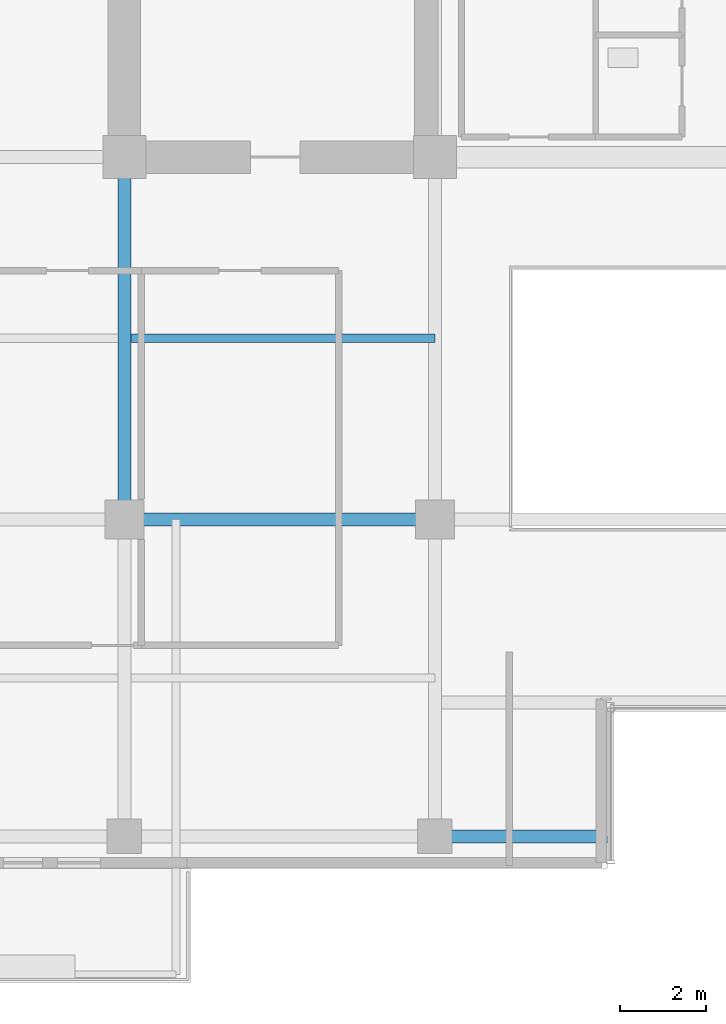
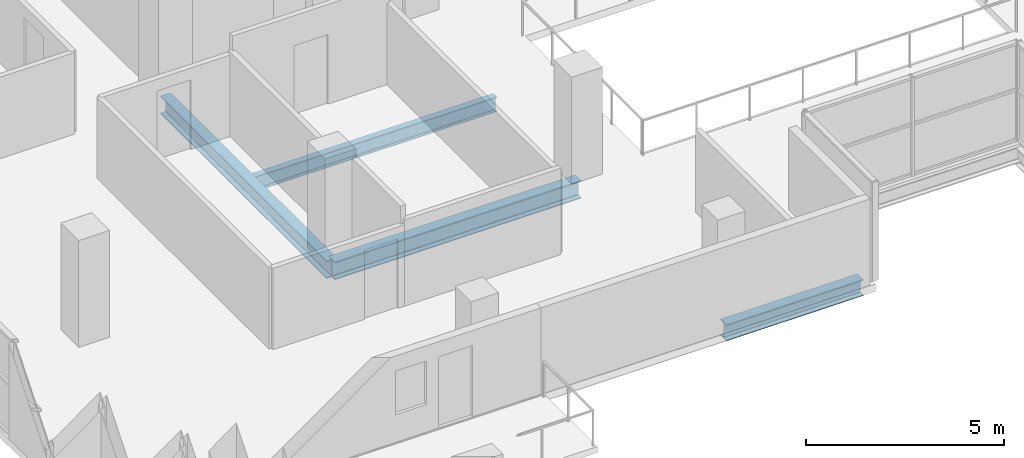
# One storey, part 5 of 27: 4 beams.
"""IFC4 building model written with IfcOpenShell, lengths in metres."""

import ifcopenshell
import ifcopenshell.guid

model = None  # the IFC model being written
_history = None  # IfcOwnerHistory: only IFC2X3 demands one
_inside = {}  # id of a spatial element -> (the spatial element, [elements in it])
_under = {}  # id of a project, library or spatial element -> (it, [spatial elements below it])
_declared = {}  # id of a project -> (the project, [libraries it declares])
_typed = {}  # id of a type object -> (the type object, [elements of that type])
_made_of = {}  # id of a material, layer set ... -> (it, [elements and type objects made of it])


def new_model(schema):
    """Start an empty IFC model of exactly this schema.

    Asked for "IFC4X3", IfcOpenShell would pick the latest addendum, in which some entities
    have other attributes; the version numbers below select the first issue.
    IFC2X3 requires an IfcOwnerHistory on every rooted entity: one is made here for all.
    """
    global model, _history
    if schema == "IFC4X3":
        model = ifcopenshell.file(schema_version=(4, 3, 0, 0))
    else:
        model = ifcopenshell.file(schema=schema)
    _inside.clear()
    _under.clear()
    _declared.clear()
    _typed.clear()
    _made_of.clear()
    _history = None
    if model.schema == "IFC2X3":
        org = make("IfcOrganization", Name="unknown")
        user = make(
            "IfcPersonAndOrganization",
            ThePerson=make("IfcPerson", FamilyName="unknown"),
            TheOrganization=org,
        )
        app = make(
            "IfcApplication",
            ApplicationDeveloper=org,
            Version="unknown",
            ApplicationFullName="unknown",
            ApplicationIdentifier="unknown",
        )
        _history = make(
            "IfcOwnerHistory",
            OwningUser=user,
            OwningApplication=app,
            ChangeAction="ADDED",
            CreationDate=0,
        )
    return model


def make(cls, **values):
    """One entity of the class cls with the attributes given. An attribute that is None is left unset."""
    return model.create_entity(
        cls, **{name: value for name, value in values.items() if value is not None}
    )


def rooted(cls, **values):
    """An entity with a GlobalId (a new one), such as an element, a storey or a relation."""
    return make(cls, GlobalId=ifcopenshell.guid.new(), OwnerHistory=_history, **values)


def si_unit(unit_type, name, prefix=None):
    """IfcSIUnit, for example si_unit("LENGTHUNIT", "METRE", prefix="MILLI")."""
    return make("IfcSIUnit", UnitType=unit_type, Prefix=prefix, Name=name)


def assignment(units):
    """IfcUnitAssignment: the units of a project."""
    return None if units is None else make("IfcUnitAssignment", Units=units)


def point(xyz):
    """IfcCartesianPoint."""
    return None if xyz is None else make("IfcCartesianPoint", Coordinates=xyz)


def direction(xyz):
    """IfcDirection."""
    return None if xyz is None else make("IfcDirection", DirectionRatios=xyz)


def frame(location, z_axis=None, x_axis=None):
    """IfcAxis2Placement3D, a coordinate frame: its origin and axes. An axis left out is left unset."""
    return make(
        "IfcAxis2Placement3D",
        Location=point(location),
        Axis=direction(z_axis),
        RefDirection=direction(x_axis),
    )


def frame_2d(location, x_axis=None):
    """IfcAxis2Placement2D, a coordinate frame in the plane: its origin and x axis."""
    return make(
        "IfcAxis2Placement2D", Location=point(location), RefDirection=direction(x_axis)
    )


def origin():
    """The frame at (0, 0, 0) with its axes left unset."""
    return frame((0.0, 0.0, 0.0))


def origin_2d():
    """The frame at (0, 0) in the plane with its x axis left unset."""
    return frame_2d((0.0, 0.0))


def place(relative_to, where):
    """IfcLocalPlacement: puts the frame where relative to a parent placement (None: the world)."""
    return make(
        "IfcLocalPlacement", PlacementRelTo=relative_to, RelativePlacement=where
    )


def context(
    kind, dimensions, precision=None, world=None, true_north=None, identifier=None
):
    """IfcGeometricRepresentationContext, for example the 3D "Model" context."""
    return make(
        "IfcGeometricRepresentationContext",
        ContextIdentifier=identifier,
        ContextType=kind,
        CoordinateSpaceDimension=dimensions,
        Precision=precision,
        WorldCoordinateSystem=world,
        TrueNorth=true_north,
    )


def subcontext(parent, identifier, kind, view, scale=None):
    """IfcGeometricRepresentationSubContext, for example "Body" below "Model"."""
    return make(
        "IfcGeometricRepresentationSubContext",
        ContextIdentifier=identifier,
        ContextType=kind,
        ParentContext=parent,
        TargetScale=scale,
        TargetView=view,
    )


def project(units=None, contexts=None):
    """IfcProject with its units and contexts."""
    return rooted(
        "IfcProject",
        Name="project",
        RepresentationContexts=contexts,
        UnitsInContext=assignment(units),
    )


def spatial(cls, under=None, at=None, **own):
    """A site, building, storey or space (cls), placed at a placement, below another one or the project."""
    s = rooted(cls, ObjectPlacement=at, **own)
    if under is not None:
        _under.setdefault(under.id(), (under, []))[1].append(s)
    return s


def profile(cls, at=None, kind="AREA", **sizes):
    """A parametric profile (cls). Its sizes go by their IFC names, for example OverallWidth=200.0."""
    return make(cls, ProfileType=kind, Position=at, **sizes)


def i_section(**sizes):
    """IfcIShapeProfileDef."""
    return profile("IfcIShapeProfileDef", **sizes)


def extrude(swept, where, along, depth):
    """IfcExtrudedAreaSolid: the profile swept, set in the frame where, extruded along a direction by depth."""
    return make(
        "IfcExtrudedAreaSolid",
        SweptArea=swept,
        Position=where,
        ExtrudedDirection=direction(along),
        Depth=depth,
    )


def shape(context_of_items, identifier, shape_type, items):
    """IfcShapeRepresentation: the items that make up one representation, for example the "Body"."""
    return make(
        "IfcShapeRepresentation",
        ContextOfItems=context_of_items,
        RepresentationIdentifier=identifier,
        RepresentationType=shape_type,
        Items=items,
    )


def material(Name=None, Category=None):
    """IfcMaterial."""
    return make("IfcMaterial", Name=Name, Category=Category)


def material_profile(
    of_material, cross_section, Name=None, Category=None, Priority=None
):
    """IfcMaterialProfile: a cross section and its material."""
    return make(
        "IfcMaterialProfile",
        Name=Name,
        Material=of_material,
        Profile=cross_section,
        Priority=Priority,
        Category=Category,
    )


def profile_set(profiles, Name=None, composite=None):
    """IfcMaterialProfileSet."""
    return make(
        "IfcMaterialProfileSet",
        Name=Name,
        MaterialProfiles=profiles,
        CompositeProfile=composite,
    )


def made_of(thing, what):
    """Note that an element or type object is made of a material, layer set ...; save() writes the relation."""
    if what is not None:
        _made_of.setdefault(what.id(), (what, []))[1].append(thing)
    return thing


def type_object(cls, material=None, **own):
    """A type object (cls), such as IfcWallType, which elements share."""
    return made_of(rooted(cls, **own), material)


def element(
    cls,
    number,
    at=None,
    inside=None,
    cuts=None,
    type_object=None,
    material=None,
    context=None,
    identifier="Body",
    shape_type=None,
    held_by="IfcProductDefinitionShape",
    body=None,
    shapes=None,
    **own,
):
    """One element of the class cls, such as IfcWall. Its Tag is "e" and its number.

    at: its placement. inside: the storey or other place that contains it. cuts: it is an
    opening in that element (IfcRelVoidsElement). A single representation is given by context,
    identifier, shape_type and body (its items); several are given by shapes. held_by: the class
    of the entity that holds the representations. save() writes the other relations.
    """
    e = rooted(cls, Tag="e%d" % number, ObjectPlacement=at, **own)
    if body is not None:
        shapes = [shape(context, identifier, shape_type, body)]
    if shapes is not None:
        e.Representation = make(held_by, Representations=shapes)
    if inside is not None:
        _inside.setdefault(inside.id(), (inside, []))[1].append(e)
    if cuts is not None:
        rooted(
            "IfcRelVoidsElement", RelatingBuildingElement=cuts, RelatedOpeningElement=e
        )
    if type_object is not None:
        _typed.setdefault(type_object.id(), (type_object, []))[1].append(e)
    return made_of(e, material)


def aggregate(whole, parts):
    """IfcRelAggregates: a whole, such as a stair, and the parts it consists of."""
    return rooted("IfcRelAggregates", RelatingObject=whole, RelatedObjects=parts)


def save(model, path):
    """Write the relations noted so far, then the file.

    IfcRelAggregates (storeys below a building ...), IfcRelContainedInSpatialStructure (elements
    in a storey), IfcRelDefinesByType, IfcRelAssociatesMaterial and IfcRelDeclares: one each for
    every whole, place, type object, material and project.
    """
    for whole, parts in _under.values():
        aggregate(whole, parts)
    for where, things in _inside.values():
        rooted(
            "IfcRelContainedInSpatialStructure",
            RelatedElements=things,
            RelatingStructure=where,
        )
    for kind, things in _typed.values():
        rooted("IfcRelDefinesByType", RelatedObjects=things, RelatingType=kind)
    for what, things in _made_of.values():
        rooted("IfcRelAssociatesMaterial", RelatedObjects=things, RelatingMaterial=what)
    for by, libraries in _declared.values():
        rooted("IfcRelDeclares", RelatingContext=by, RelatedDefinitions=libraries)
    model.write(path)


model = new_model("IFC4")

# Units and contexts
model_context = context("Model", 3, precision=1e-05, world=origin(), true_north=direction((0.0, 1.0)))
body_context = subcontext(model_context, "Body", "Model", "MODEL_VIEW")
ifc_project = project(units=[si_unit("LENGTHUNIT", "METRE"), si_unit("AREAUNIT", "SQUARE_METRE"), si_unit("VOLUMEUNIT", "CUBIC_METRE"), si_unit("PLANEANGLEUNIT", "RADIAN"), si_unit("MASSUNIT", "GRAM", prefix="KILO")], contexts=[model_context])

# Site, building, storey
site_placement = place(None, origin())
site = spatial("IfcSite", under=ifc_project, at=site_placement, CompositionType="ELEMENT")
building_placement = place(site_placement, origin())
building = spatial("IfcBuilding", under=site, at=building_placement, Name="Zarnakvel Exchange Tower", CompositionType="ELEMENT")
storey_placement = place(building_placement, frame((0.0, 0.0, 113.199951171875)))
storey = spatial("IfcBuildingStorey", under=building, at=storey_placement, Name="L31", CompositionType="ELEMENT", Elevation=113.199951171875)

# Beams
ifc_material = material(Name="Steel S355", Category="steel")
ifc_material_profile_1 = material_profile(ifc_material, i_section(OverallWidth=0.18994140625, OverallDepth=0.449951171875, WebThickness=0.009521484375, FlangeThickness=0.0146484375, FilletRadius=0.02099609375, at=origin_2d()))
ifc_profile_set_1 = profile_set([ifc_material_profile_1], Name="Steel S355")
beam_type_1 = type_object("IfcBeamType", Name="B-05", PredefinedType="JOIST", material=ifc_profile_set_1)
beam_1_placement = place(storey_placement, frame((-14.25, -5.39990234375, -0.449951171875), z_axis=(1.0, 0.0, 0.0), x_axis=(0.0, 1.0, 0.0)))
element("IfcBeam", 1, at=beam_1_placement, inside=storey, type_object=beam_type_1, Name="L31 Composite Floor Secondary Joist", PredefinedType="JOIST", context=body_context, shape_type="SweptSolid", body=[
    extrude(i_section(OverallWidth=0.18994140625, OverallDepth=0.449951171875, WebThickness=0.009521484375, FlangeThickness=0.0146484375, FilletRadius=0.02099609375, at=origin_2d()), origin(), (0.0, 0.0, 1.0), 7.050048828125),
])
ifc_material_profile_2 = material_profile(ifc_material, i_section(OverallWidth=0.300048828125, OverallDepth=0.550048828125, WebThickness=0.014892578125, FlangeThickness=0.029052734375, FilletRadius=0.027099609375, at=origin_2d()))
ifc_profile_set_2 = profile_set([ifc_material_profile_2], Name="Steel S355")
beam_type_2 = type_object("IfcBeamType", Name="G-05", PredefinedType="BEAM", material=ifc_profile_set_2)
beam_2_placement = place(storey_placement, frame((-14.39990234375, -9.60009765625, -0.5), z_axis=(1.0, 0.0, 0.0), x_axis=(0.0, 1.0, 0.0)))
element("IfcBeam", 2, at=beam_2_placement, inside=storey, type_object=beam_type_2, Name="L31 Tower E-W Frame Beam", PredefinedType="BEAM", context=body_context, shape_type="SweptSolid", body=[
    extrude(i_section(OverallWidth=0.300048828125, OverallDepth=0.550048828125, WebThickness=0.014892578125, FlangeThickness=0.029052734375, FilletRadius=0.027099609375, at=origin_2d()), origin(), (0.0, 0.0, 1.0), 7.199951171875),
])
beam_3_placement = place(storey_placement, frame((-14.39990234375, -9.60009765625, -0.5), z_axis=(0.0, 1.0, 0.0), x_axis=(-1.0, 0.0, 0.0)))
element("IfcBeam", 3, at=beam_3_placement, inside=storey, type_object=beam_type_2, Name="L31 Tower N-S Frame Beam", PredefinedType="BEAM", context=body_context, shape_type="SweptSolid", body=[
    extrude(i_section(OverallWidth=0.300048828125, OverallDepth=0.550048828125, WebThickness=0.014892578125, FlangeThickness=0.029052734375, FilletRadius=0.027099609375, at=origin_2d()), origin(), (0.0, 0.0, 1.0), 8.400146484375),
])
ifc_material_profile_3 = material_profile(ifc_material, i_section(OverallWidth=0.300048828125, OverallDepth=0.5, WebThickness=0.014404296875, FlangeThickness=0.028076171875, FilletRadius=0.027099609375, at=origin_2d()))
ifc_profile_set_3 = profile_set([ifc_material_profile_3], Name="Steel S355")
beam_type_3 = type_object("IfcBeamType", Name="SP-02", PredefinedType="SPANDREL", material=ifc_profile_set_3)
beam_4_placement = place(storey_placement, frame((-7.199951171875, -16.949951171875, -0.474853515625), z_axis=(1.0, 0.0, 0.0), x_axis=(0.0, 1.0, 0.0)))
element("IfcBeam", 4, at=beam_4_placement, inside=storey, type_object=beam_type_3, Name="L31 South Slot West Jamb Spandrel", PredefinedType="SPANDREL", context=body_context, shape_type="SweptSolid", body=[
    extrude(i_section(OverallWidth=0.300048828125, OverallDepth=0.5, WebThickness=0.014404296875, FlangeThickness=0.028076171875, FilletRadius=0.027099609375, at=origin_2d()), origin(), (0.0, 0.0, 1.0), 4.0),
])

save(model, "model.ifc")
